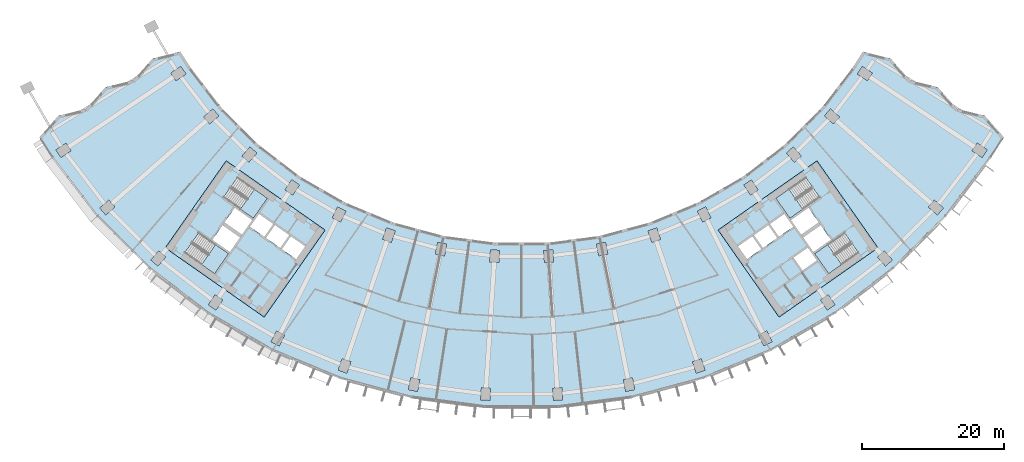
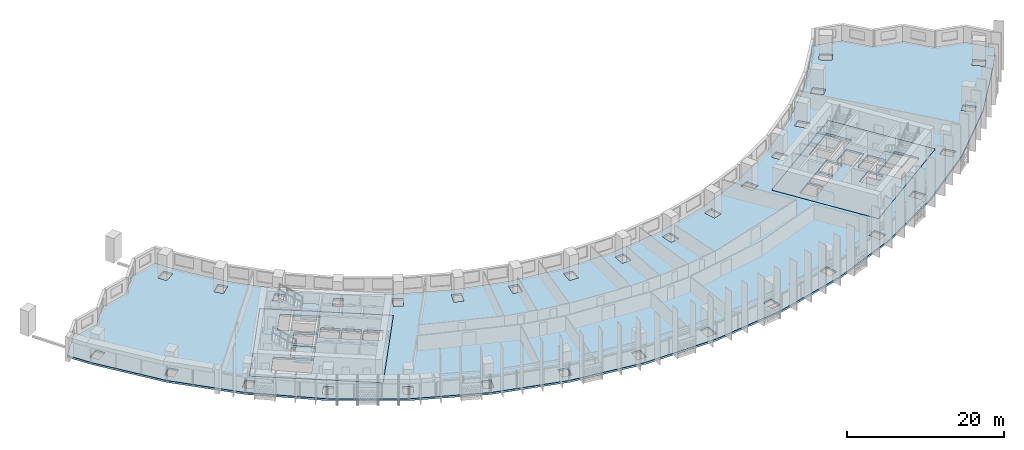
# One storey, part 2 of 33: 7 slabs, 4 elements without a shape of their own.
"""IFC4 building model written with IfcOpenShell, lengths in metres."""

from ifc_helpers import new_model, si_unit, direction, frame, origin, place, context, subcontext, project, spatial, polyline, outline, extrude, material, layer, layer_set, type_object, element, aggregate, save


model = new_model("IFC4")

# Units and contexts
model_context = context("Model", 3, precision=1e-05, world=origin(), true_north=direction((0.0, 1.0)))
body_context = subcontext(model_context, "Body", "Model", "MODEL_VIEW")
ifc_project = project(units=[si_unit("LENGTHUNIT", "METRE"), si_unit("AREAUNIT", "SQUARE_METRE"), si_unit("VOLUMEUNIT", "CUBIC_METRE"), si_unit("PLANEANGLEUNIT", "RADIAN"), si_unit("MASSUNIT", "GRAM", prefix="KILO")], contexts=[model_context])

# Site, building, storey
site_placement = place(None, origin())
site = spatial("IfcSite", under=ifc_project, at=site_placement, CompositionType="ELEMENT")
building_placement = place(site_placement, origin())
building = spatial("IfcBuilding", under=site, at=building_placement, Name="Qamariyya Broadcast Tower", CompositionType="ELEMENT")
storey_placement = place(building_placement, frame((0.0, 0.0, 78.5)))
storey = spatial("IfcBuildingStorey", under=building, at=storey_placement, Name="L16", CompositionType="ELEMENT", Elevation=78.5)

# Slabs
ifc_material_1 = material(Name="Concrete C40/50", Category="concrete")
ifc_layer_1 = layer(ifc_material_1, 0.300048828125)
ifc_layer_set_1 = layer_set([ifc_layer_1], Name="Core floor slab 300 mm Concrete C40/50")
slab_type_1 = type_object("IfcSlabType", Name="Core floor slab 300 mm Concrete C40/50", PredefinedType="FLOOR", material=ifc_layer_set_1)
slab_1_placement = place(storey_placement, frame((0.0, 0.0, -0.300048828125)))
element("IfcSlab", 1, at=slab_1_placement, inside=storey, type_object=slab_type_1, Name="k-W-L16-slab", PredefinedType="FLOOR", context=body_context, shape_type="SweptSolid", body=[
    extrude(outline(polyline([(-50.286376953125, -56.95751953125), (-36.32373046875, -66.734375), (-27.719970703125, -54.447021484375), (-41.6826171875, -44.67041015625), (-50.286376953125, -56.95751953125)]), holes=[polyline([(-31.80859375, -58.542724609375), (-33.8154296875, -57.137451171875), (-32.5537109375, -55.335205078125), (-30.546630859375, -56.740478515625), (-31.80859375, -58.542724609375)]), polyline([(-34.061279296875, -56.96533203125), (-36.068115234375, -55.56005859375), (-34.806396484375, -53.758056640625), (-32.79931640625, -55.163330078125), (-34.061279296875, -56.96533203125)]), polyline([(-36.31396484375, -55.387939453125), (-38.32080078125, -53.982666015625), (-37.058837890625, -52.1806640625), (-35.052001953125, -53.5859375), (-36.31396484375, -55.387939453125)]), polyline([(-39.742431640625, -55.489990234375), (-42.199951171875, -53.769287109375), (-43.6337890625, -55.817138671875), (-41.17626953125, -57.537841796875), (-39.742431640625, -55.489990234375)]), polyline([(-39.45556640625, -55.080322265625), (-41.9130859375, -53.359619140625), (-40.47900390625, -51.311767578125), (-38.021728515625, -53.032470703125), (-39.45556640625, -55.080322265625)]), polyline([(-42.06103515625, -49.837890625), (-37.849609375, -52.78662109375), (-35.870849609375, -49.960693359375), (-40.082275390625, -47.01171875), (-42.06103515625, -49.837890625)]), polyline([(-47.538818359375, -57.66064453125), (-43.3271484375, -60.609619140625), (-41.348388671875, -57.783447265625), (-45.559814453125, -54.834716796875), (-47.538818359375, -57.66064453125)])]), origin(), (0.0, 0.0, 1.0), 0.300048828125),
])
slab_2_placement = place(storey_placement, frame((0.0, 0.0, -0.300048828125)))
element("IfcSlab", 2, at=slab_2_placement, inside=storey, type_object=slab_type_1, Name="k-E-L16-slab", PredefinedType="FLOOR", context=body_context, shape_type="SweptSolid", body=[
    extrude(outline(polyline([(36.32373046875, -66.734375), (50.286376953125, -56.95751953125), (41.6826171875, -44.67041015625), (27.719970703125, -54.447021484375), (36.32373046875, -66.734375)]), holes=[polyline([(31.80859375, -58.542724609375), (33.8154296875, -57.137451171875), (32.5537109375, -55.335205078125), (30.546630859375, -56.740478515625), (31.80859375, -58.542724609375)]), polyline([(34.061279296875, -56.96533203125), (36.068115234375, -55.56005859375), (34.806396484375, -53.758056640625), (32.79931640625, -55.163330078125), (34.061279296875, -56.96533203125)]), polyline([(36.31396484375, -55.387939453125), (38.32080078125, -53.982666015625), (37.058837890625, -52.1806640625), (35.052001953125, -53.5859375), (36.31396484375, -55.387939453125)]), polyline([(38.378662109375, -58.3369140625), (40.3857421875, -56.931640625), (41.6474609375, -58.73388671875), (39.640625, -60.13916015625), (38.378662109375, -58.3369140625)]), polyline([(39.742431640625, -55.489990234375), (42.199951171875, -53.769287109375), (43.6337890625, -55.817138671875), (41.17626953125, -57.537841796875), (39.742431640625, -55.489990234375)]), polyline([(39.45556640625, -55.080322265625), (41.9130859375, -53.359619140625), (40.47900390625, -51.311767578125), (38.021728515625, -53.032470703125), (39.45556640625, -55.080322265625)]), polyline([(40.082275390625, -47.01171875), (35.870849609375, -49.960693359375), (37.849609375, -52.78662109375), (42.06103515625, -49.837890625), (40.082275390625, -47.01171875)]), polyline([(45.559814453125, -54.834716796875), (41.348388671875, -57.783447265625), (43.3271484375, -60.609619140625), (47.538818359375, -57.66064453125), (45.559814453125, -54.834716796875)])]), origin(), (0.0, 0.0, 1.0), 0.300048828125),
])
ifc_layer_2 = layer(ifc_material_1, 0.300048828125)
ifc_layer_set_2 = layer_set([ifc_layer_2], Name="Post-tensioned floor slab 300 C40/50")
slab_type_2 = type_object("IfcSlabType", Name="Post-tensioned floor slab 300 C40/50", PredefinedType="FLOOR", material=ifc_layer_set_2)
slab_3_placement = place(storey_placement, frame((0.0, 0.0, -0.300048828125)))
element("IfcSlab", 3, at=slab_3_placement, inside=storey, type_object=slab_type_2, Name="Floor slab S4 L16", PredefinedType="FLOOR", context=body_context, shape_type="SweptSolid", body=[
    extrude(outline(polyline([(-65.364013671875, -38.316162109375), (-68.067626953125, -41.36328125), (-66.2265625, -44.251220703125), (-59.884033203125, -52.516845703125), (-52.516845703125, -59.884033203125), (-44.251220703125, -66.2265625), (-35.228271484375, -71.43603515625), (-25.6025390625, -75.423095703125), (-15.5390625, -78.11962890625), (-5.20947265625, -79.4794921875), (5.20947265625, -79.4794921875), (15.5390625, -78.11962890625), (25.6025390625, -75.423095703125), (35.228271484375, -71.43603515625), (44.251220703125, -66.2265625), (52.516845703125, -59.884033203125), (59.884033203125, -52.516845703125), (66.2265625, -44.251220703125), (68.067626953125, -41.36328125), (65.364013671875, -38.316162109375), (61.430419921875, -37.329833984375), (58.725830078125, -34.2822265625), (54.793212890625, -33.296630859375), (52.08740234375, -30.248291015625), (48.15576171875, -29.26318359375), (46.853271484375, -31.306396484375), (42.3662109375, -37.154052734375), (37.154052734375, -42.3662109375), (31.306396484375, -46.853271484375), (24.9228515625, -50.538818359375), (18.113037109375, -53.359619140625), (10.993408203125, -55.267333984375), (3.685546875, -56.229248046875), (-3.685546875, -56.229248046875), (-10.993408203125, -55.267333984375), (-18.113037109375, -53.359619140625), (-24.9228515625, -50.538818359375), (-31.306396484375, -46.853271484375), (-37.154052734375, -42.3662109375), (-42.3662109375, -37.154052734375), (-46.853271484375, -31.306396484375), (-48.15576171875, -29.26318359375), (-52.08740234375, -30.248291015625), (-54.793212890625, -33.296630859375), (-58.725830078125, -34.2822265625), (-61.430419921875, -37.329833984375), (-65.364013671875, -38.316162109375)]), holes=[polyline([(-5.789306640625, -78.38916015625), (-5.67822265625, -76.69287109375), (-4.380859375, -76.77783203125), (-4.4921875, -78.47412109375), (-5.789306640625, -78.38916015625)]), polyline([(-15.9716796875, -76.962890625), (-15.639892578125, -75.295654296875), (-14.364990234375, -75.54931640625), (-14.696533203125, -77.216552734375), (-15.9716796875, -76.962890625)]), polyline([(-25.880615234375, -74.2197265625), (-25.334228515625, -72.610107421875), (-24.103271484375, -73.02783203125), (-24.649658203125, -74.6376953125), (-25.880615234375, -74.2197265625)]), polyline([(-35.346923828125, -70.206787109375), (-34.594970703125, -68.68212890625), (-33.428955078125, -69.257080078125), (-34.180908203125, -70.78173828125), (-35.346923828125, -70.206787109375)]), polyline([(-44.208251953125, -64.992431640625), (-43.263916015625, -63.578857421875), (-42.182861328125, -64.301025390625), (-43.12744140625, -65.714599609375), (-44.208251953125, -64.992431640625)]), polyline([(-52.313232421875, -58.666015625), (-51.1923828125, -57.387939453125), (-50.215087890625, -58.2451171875), (-51.3359375, -59.523193359375), (-52.313232421875, -58.666015625)]), polyline([(-12.167236328125, -57.837646484375), (-11.835693359375, -56.170166015625), (-10.560791015625, -56.423828125), (-10.892333984375, -58.09130859375), (-12.167236328125, -57.837646484375)]), polyline([(-41.6826171875, -44.67041015625), (-27.719970703125, -54.447021484375), (-36.32373046875, -66.734375), (-50.286376953125, -56.95751953125), (-41.6826171875, -44.67041015625)]), polyline([(-19.066162109375, -54.144775390625), (-17.835205078125, -54.562744140625), (-18.381591796875, -56.172607421875), (-19.612548828125, -55.754638671875), (-19.066162109375, -54.144775390625)]), polyline([(-26.72216796875, -52.7177734375), (-25.970458984375, -51.193115234375), (-24.804443359375, -51.76806640625), (-25.556396484375, -53.292724609375), (-26.72216796875, -52.7177734375)]), polyline([(-59.523193359375, -51.3359375), (-58.2451171875, -50.215087890625), (-57.387939453125, -51.1923828125), (-58.666015625, -52.313232421875), (-59.523193359375, -51.3359375)]), polyline([(-33.374755859375, -48.77880859375), (-32.43017578125, -47.365234375), (-31.349365234375, -48.08740234375), (-32.293701171875, -49.5009765625), (-33.374755859375, -48.77880859375)]), polyline([(-39.4560546875, -44.005126953125), (-38.335205078125, -42.72705078125), (-37.357666015625, -43.584228515625), (-38.478759765625, -44.8623046875), (-39.4560546875, -44.005126953125)]), polyline([(-65.714599609375, -43.12744140625), (-64.301025390625, -42.182861328125), (-63.578857421875, -43.263916015625), (-64.992431640625, -44.208251953125), (-65.714599609375, -43.12744140625)]), polyline([(-44.8623046875, -38.478759765625), (-43.584228515625, -37.357666015625), (-42.72705078125, -38.335205078125), (-44.005126953125, -39.4560546875), (-44.8623046875, -38.478759765625)]), polyline([(-48.08740234375, -31.349365234375), (-47.365234375, -32.43017578125), (-48.77880859375, -33.374755859375), (-49.5009765625, -32.293701171875), (-48.08740234375, -31.349365234375)]), polyline([(4.4921875, -78.47412109375), (4.380859375, -76.77783203125), (5.67822265625, -76.69287109375), (5.789306640625, -78.38916015625), (4.4921875, -78.47412109375)]), polyline([(14.696533203125, -77.216552734375), (14.364990234375, -75.54931640625), (15.639892578125, -75.295654296875), (15.9716796875, -76.962890625), (14.696533203125, -77.216552734375)]), polyline([(24.649658203125, -74.6376953125), (24.103271484375, -73.02783203125), (25.334228515625, -72.610107421875), (25.880615234375, -74.2197265625), (24.649658203125, -74.6376953125)]), polyline([(34.180908203125, -70.78173828125), (33.428955078125, -69.257080078125), (34.594970703125, -68.68212890625), (35.346923828125, -70.206787109375), (34.180908203125, -70.78173828125)]), polyline([(43.12744140625, -65.714599609375), (42.182861328125, -64.301025390625), (43.263916015625, -63.578857421875), (44.208251953125, -64.992431640625), (43.12744140625, -65.714599609375)]), polyline([(51.3359375, -59.523193359375), (50.215087890625, -58.2451171875), (51.1923828125, -57.387939453125), (52.313232421875, -58.666015625), (51.3359375, -59.523193359375)]), polyline([(3.216796875, -59.015869140625), (3.10546875, -57.319580078125), (4.40283203125, -57.234619140625), (4.513916015625, -58.930908203125), (3.216796875, -59.015869140625)]), polyline([(-4.40283203125, -57.234619140625), (-3.10546875, -57.319580078125), (-3.216796875, -59.015869140625), (-4.513916015625, -58.930908203125), (-4.40283203125, -57.234619140625)]), polyline([(10.560791015625, -56.423828125), (11.835693359375, -56.170166015625), (12.167236328125, -57.837646484375), (10.892333984375, -58.09130859375), (10.560791015625, -56.423828125)]), polyline([(36.32373046875, -66.734375), (27.719970703125, -54.447021484375), (41.6826171875, -44.67041015625), (50.286376953125, -56.95751953125), (36.32373046875, -66.734375)]), polyline([(18.381591796875, -56.172607421875), (17.835205078125, -54.562744140625), (19.066162109375, -54.144775390625), (19.612548828125, -55.754638671875), (18.381591796875, -56.172607421875)]), polyline([(25.556396484375, -53.292724609375), (24.804443359375, -51.76806640625), (25.970458984375, -51.193115234375), (26.72216796875, -52.7177734375), (25.556396484375, -53.292724609375)]), polyline([(58.666015625, -52.313232421875), (57.387939453125, -51.1923828125), (58.2451171875, -50.215087890625), (59.523193359375, -51.3359375), (58.666015625, -52.313232421875)]), polyline([(32.293701171875, -49.5009765625), (31.349365234375, -48.08740234375), (32.43017578125, -47.365234375), (33.374755859375, -48.77880859375), (32.293701171875, -49.5009765625)]), polyline([(38.478759765625, -44.8623046875), (37.357666015625, -43.584228515625), (38.335205078125, -42.72705078125), (39.4560546875, -44.005126953125), (38.478759765625, -44.8623046875)]), polyline([(64.992431640625, -44.208251953125), (63.578857421875, -43.263916015625), (64.301025390625, -42.182861328125), (65.714599609375, -43.12744140625), (64.992431640625, -44.208251953125)]), polyline([(42.72705078125, -38.335205078125), (43.584228515625, -37.357666015625), (44.8623046875, -38.478759765625), (44.005126953125, -39.4560546875), (42.72705078125, -38.335205078125)]), polyline([(47.365234375, -32.43017578125), (48.08740234375, -31.349365234375), (49.5009765625, -32.293701171875), (48.77880859375, -33.374755859375), (47.365234375, -32.43017578125)])]), origin(), (0.0, 0.0, 1.0), 0.300048828125),
])

# Stair, slab
ifc_material_2 = material(Name="Concrete C50/60", Category="concrete")
stair_type = type_object("IfcStairType", Name="Exit stair 22 risers of 173 mm", PredefinedType="HALF_TURN_STAIR", material=ifc_material_2)
stair_1_placement = place(storey_placement, origin())
stair_1 = element("IfcStair", 4, at=stair_1_placement, inside=storey, type_object=stair_type, Name="L16 Stair W2", PredefinedType="HALF_TURN_STAIR")
ifc_layer_3 = layer(ifc_material_2, 0.199951171875)
ifc_layer_set_3 = layer_set([ifc_layer_3], Name="Stair landing")
slab_type_3 = type_object("IfcSlabType", Name="Stair landing", PredefinedType="LANDING", material=ifc_layer_set_3)
slab_4_placement = place(storey_placement, frame((0.0, 0.0, 1.699951171875)))
slab_4 = element("IfcSlab", 5, at=slab_4_placement, type_object=slab_type_3, Name="ST-W2 landing 1", PredefinedType="LANDING", context=body_context, shape_type="SweptSolid", body=[
    extrude(outline(polyline([(-39.692138671875, -51.49658203125), (-37.849609375, -52.78662109375), (-35.870849609375, -49.960693359375), (-37.71337890625, -48.67041015625), (-39.692138671875, -51.49658203125)])), origin(), (0.0, 0.0, 1.0), 0.199951171875),
])
aggregate(stair_1, [slab_4])

stair_2_placement = place(storey_placement, origin())
stair_2 = element("IfcStair", 6, at=stair_2_placement, inside=storey, type_object=stair_type, Name="L16 Stair W1", PredefinedType="HALF_TURN_STAIR")
slab_5_placement = place(storey_placement, frame((0.0, 0.0, 1.699951171875)))
slab_5 = element("IfcSlab", 7, at=slab_5_placement, type_object=slab_type_3, Name="ST-W1 landing 1", PredefinedType="LANDING", context=body_context, shape_type="SweptSolid", body=[
    extrude(outline(polyline([(-45.169677734375, -59.319580078125), (-43.3271484375, -60.609619140625), (-41.348388671875, -57.783447265625), (-43.19091796875, -56.493408203125), (-45.169677734375, -59.319580078125)])), origin(), (0.0, 0.0, 1.0), 0.199951171875),
])
aggregate(stair_2, [slab_5])

stair_3_placement = place(storey_placement, origin())
stair_3 = element("IfcStair", 8, at=stair_3_placement, inside=storey, type_object=stair_type, Name="L16 Stair E2", PredefinedType="HALF_TURN_STAIR")
slab_6_placement = place(storey_placement, frame((0.0, 0.0, 1.699951171875)))
slab_6 = element("IfcSlab", 9, at=slab_6_placement, type_object=slab_type_3, Name="ST-E2 landing 1", PredefinedType="LANDING", context=body_context, shape_type="SweptSolid", body=[
    extrude(outline(polyline([(37.71337890625, -48.67041015625), (35.870849609375, -49.960693359375), (37.849609375, -52.78662109375), (39.692138671875, -51.49658203125), (37.71337890625, -48.67041015625)])), origin(), (0.0, 0.0, 1.0), 0.199951171875),
])
aggregate(stair_3, [slab_6])

stair_4_placement = place(storey_placement, origin())
stair_4 = element("IfcStair", 10, at=stair_4_placement, inside=storey, type_object=stair_type, Name="L16 Stair E1", PredefinedType="HALF_TURN_STAIR")
slab_7_placement = place(storey_placement, frame((0.0, 0.0, 1.699951171875)))
slab_7 = element("IfcSlab", 11, at=slab_7_placement, type_object=slab_type_3, Name="ST-E1 landing 1", PredefinedType="LANDING", context=body_context, shape_type="SweptSolid", body=[
    extrude(outline(polyline([(43.19091796875, -56.493408203125), (41.348388671875, -57.783447265625), (43.3271484375, -60.609619140625), (45.169677734375, -59.319580078125), (43.19091796875, -56.493408203125)])), origin(), (0.0, 0.0, 1.0), 0.199951171875),
])
aggregate(stair_4, [slab_7])

save(model, "model.ifc")
